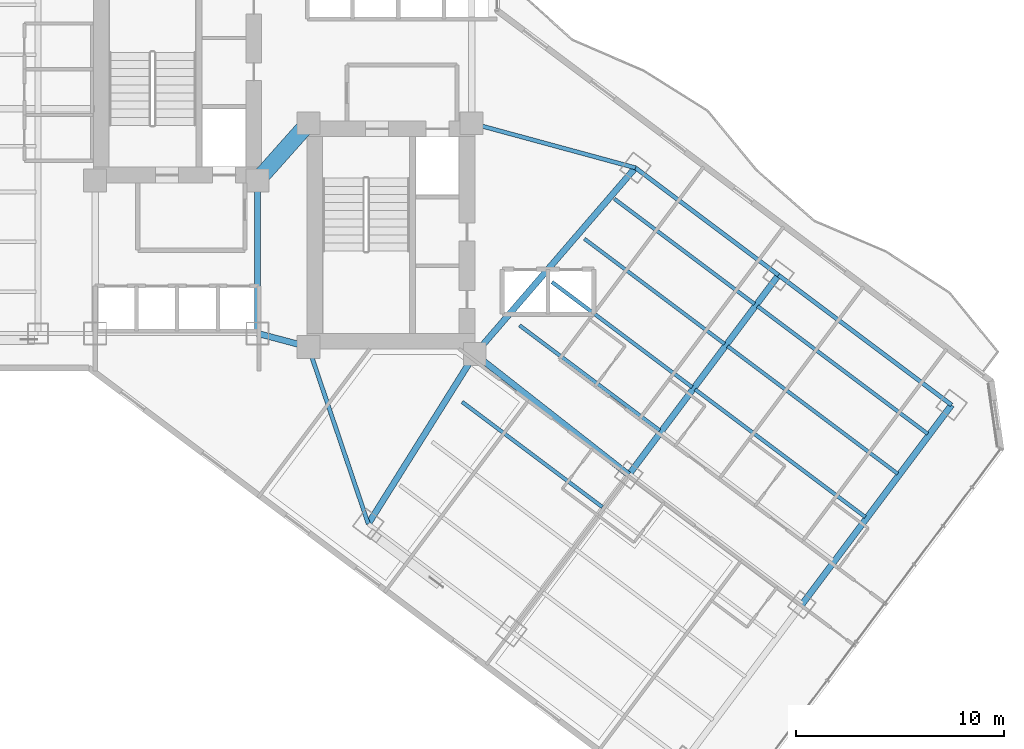
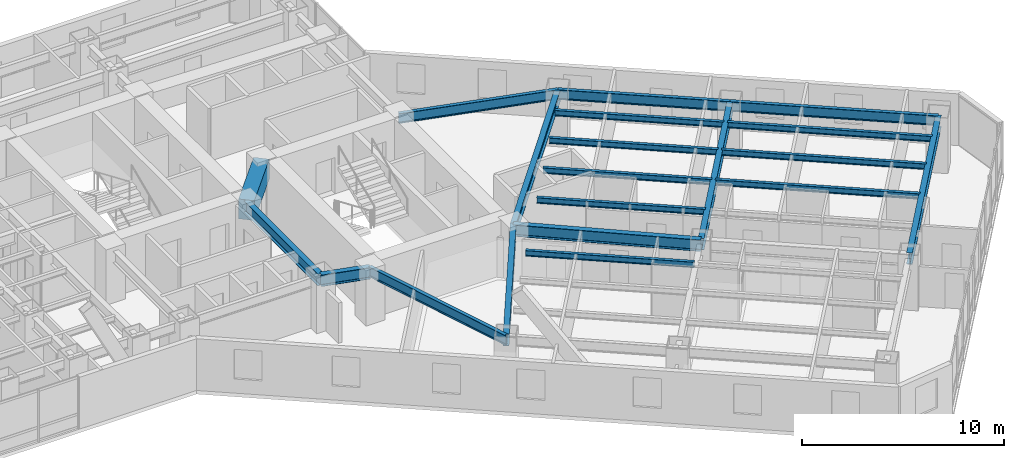
# One storey, part 11 of 32: 20 beams.
"""IFC4 building model written with IfcOpenShell, lengths in metres."""

from ifc_helpers import new_model, si_unit, direction, frame, origin, origin_2d, place, context, subcontext, project, spatial, rectangle, i_section, extrude, material, material_profile, profile_set, type_object, element, save


model = new_model("IFC4")

# Units and contexts
model_context = context("Model", 3, precision=1e-05, world=origin(), true_north=direction((0.0, 1.0)))
body_context = subcontext(model_context, "Body", "Model", "MODEL_VIEW")
ifc_project = project(units=[si_unit("LENGTHUNIT", "METRE"), si_unit("AREAUNIT", "SQUARE_METRE"), si_unit("VOLUMEUNIT", "CUBIC_METRE"), si_unit("PLANEANGLEUNIT", "RADIAN"), si_unit("MASSUNIT", "GRAM", prefix="KILO")], contexts=[model_context])

# Site, building, storey
site_placement = place(None, origin())
site = spatial("IfcSite", under=ifc_project, at=site_placement, CompositionType="ELEMENT")
building_placement = place(site_placement, origin())
building = spatial("IfcBuilding", under=site, at=building_placement, Name="Hatsunagi Terrace Concourse", CompositionType="ELEMENT")
storey_placement = place(building_placement, frame((0.0, 0.0, 36.60009765625)))
storey = spatial("IfcBuildingStorey", under=building, at=storey_placement, Name="L08", CompositionType="ELEMENT", Elevation=36.60009765625)

# Beams
ifc_material_1 = material(Name="Concrete Fc60", Category="concrete")
ifc_material_profile_1 = material_profile(ifc_material_1, rectangle(XDim=0.800048828125, YDim=1.199951171875, at=origin_2d()), Name="RC-800x1200")
ifc_profile_set_1 = profile_set([ifc_material_profile_1], Name="Concrete Fc60")
beam_type_1 = type_object("IfcBeamType", Name="CoreCouplingBeam_RC_800x1200", PredefinedType="BEAM", material=ifc_profile_set_1)
beam_1_placement = place(storey_placement, frame((33.35009765625, 32.550048828125, 2.52978515625), z_axis=(0.665198651008, 0.746666427997, 0.0), x_axis=(-0.746666427997, 0.665198651008, 0.0)))
element("IfcBeam", 1, at=beam_1_placement, inside=storey, type_object=beam_type_1, Name="Beam CB-01 CB-L08-1", PredefinedType="BEAM", context=body_context, shape_type="SweptSolid", body=[
    extrude(rectangle(XDim=0.800048828125, YDim=1.199951171875, at=origin_2d()), origin(), (0.0, 0.0, 1.0), 3.68310546875),
])
ifc_material_2 = material(Name="Steel SN490B", Category="steel")
ifc_material_profile_2 = material_profile(ifc_material_2, i_section(OverallWidth=0.300048828125, OverallDepth=0.699951171875, WebThickness=0.012939453125, FlangeThickness=0.02392578125, FilletRadius=0.02197265625, at=origin_2d()), Name="H-700x300x13x24")
ifc_profile_set_2 = profile_set([ifc_material_profile_2], Name="Steel SN490B")
beam_type_2 = type_object("IfcBeamType", Name="HotelFloorGirder_H_700x300", PredefinedType="BEAM", material=ifc_profile_set_2)
beam_2_placement = place(storey_placement, frame((33.35009765625, 25.199951171875, 2.77978515625), z_axis=(0.0, 1.0, 0.0), x_axis=(-1.0, 0.0, 0.0)))
element("IfcBeam", 2, at=beam_2_placement, inside=storey, type_object=beam_type_2, Name="Beam G-04 BM-L08-K2CA", PredefinedType="BEAM", context=body_context, shape_type="SweptSolid", body=[
    extrude(i_section(OverallWidth=0.300048828125, OverallDepth=0.699951171875, WebThickness=0.012939453125, FlangeThickness=0.02392578125, FilletRadius=0.02197265625, at=origin_2d()), origin(), (0.0, 0.0, 1.0), 7.35009765625),
])
beam_3_placement = place(storey_placement, frame((33.35009765625, 25.199951171875, 2.77978515625), z_axis=(0.966569840116, -0.256403479262, 0.0), x_axis=(0.256403479262, 0.966569840116, 0.0)))
element("IfcBeam", 3, at=beam_3_placement, inside=storey, type_object=beam_type_2, Name="Beam G-04 BM-L08-K2CB", PredefinedType="BEAM", context=body_context, shape_type="SweptSolid", body=[
    extrude(i_section(OverallWidth=0.300048828125, OverallDepth=0.699951171875, WebThickness=0.012939453125, FlangeThickness=0.02392578125, FilletRadius=0.02197265625, at=origin_2d()), origin(), (0.0, 0.0, 1.0), 2.53466796875),
])
beam_4_placement = place(storey_placement, frame((38.679931640625, 16.0400390625, 2.77978515625), z_axis=(0.531503907049, 0.847055840421, 0.0), x_axis=(-0.847055840421, 0.531503907049, 0.0)))
element("IfcBeam", 4, at=beam_4_placement, inside=storey, type_object=beam_type_2, Name="Beam G-04 BM-L08-SET-1A", PredefinedType="BEAM", context=body_context, shape_type="SweptSolid", body=[
    extrude(i_section(OverallWidth=0.300048828125, OverallDepth=0.699951171875, WebThickness=0.012939453125, FlangeThickness=0.02392578125, FilletRadius=0.02197265625, at=origin_2d()), origin(), (0.0, 0.0, 1.0), 9.63330078125),
])
beam_5_placement = place(storey_placement, frame((43.800048828125, 24.199951171875, 2.77978515625), z_axis=(0.652739101421, 0.757582777969, 0.0), x_axis=(-0.757582777969, 0.652739101421, 0.0)))
element("IfcBeam", 5, at=beam_5_placement, inside=storey, type_object=beam_type_2, Name="Beam G-04 BM-L08-SET-1B", PredefinedType="BEAM", context=body_context, shape_type="SweptSolid", body=[
    extrude(i_section(OverallWidth=0.300048828125, OverallDepth=0.699951171875, WebThickness=0.012939453125, FlangeThickness=0.02392578125, FilletRadius=0.02197265625, at=origin_2d()), origin(), (0.0, 0.0, 1.0), 11.8271484375),
])
beam_6_placement = place(storey_placement, frame((43.800048828125, 24.199951171875, 2.77978515625), z_axis=(0.787049441068, -0.616889923175, 0.0), x_axis=(0.616889923175, 0.787049441068, 0.0)))
element("IfcBeam", 6, at=beam_6_placement, inside=storey, type_object=beam_type_2, Name="Beam G-04 BM-L08-SE-M2", PredefinedType="BEAM", context=body_context, shape_type="SweptSolid", body=[
    extrude(i_section(OverallWidth=0.300048828125, OverallDepth=0.699951171875, WebThickness=0.012939453125, FlangeThickness=0.02392578125, FilletRadius=0.02197265625, at=origin_2d()), origin(), (0.0, 0.0, 1.0), 9.402099609375),
])
for number, where, z_axis, x_axis, name in (
    (7, (51.199951171875, 18.39990234375, 2.77978515625), (0.59999348959, 0.800004882766, 0.0), (-0.800004882766, 0.59999348959, 0.0), "Beam G-04 BM-L08-SET-2B"),
    (8, (59.52001953125, 12.159912109375, 2.77978515625), (0.59999348959, 0.800004882766, 0.0), (-0.800004882766, 0.59999348959, 0.0), "Beam G-04 BM-L08-SET-3B"),
):
    element("IfcBeam", number, at=place(storey_placement, frame(where, z_axis=z_axis, x_axis=x_axis)), inside=storey, type_object=beam_type_2, Name=name, PredefinedType="BEAM", context=body_context, shape_type="SweptSolid", body=[
        extrude(i_section(OverallWidth=0.300048828125, OverallDepth=0.699951171875, WebThickness=0.012939453125, FlangeThickness=0.02392578125, FilletRadius=0.02197265625, at=origin_2d()), origin(), (0.0, 0.0, 1.0), 12.0),
    ])
ifc_material_3 = material(Name="Steel SN490B", Category="steel")
ifc_material_profile_3 = material_profile(ifc_material_3, i_section(OverallWidth=0.175048828125, OverallDepth=0.35009765625, WebThickness=0.007080078125, FlangeThickness=0.010986328125, FilletRadius=0.012939453125, at=origin_2d()), Name="H-350x175x7x11")
ifc_profile_set_3 = profile_set([ifc_material_profile_3], Name="Steel SN490B")
beam_type_3 = type_object("IfcBeamType", Name="HotelJoist_H_350x175", PredefinedType="JOIST", material=ifc_profile_set_3)
for number, where, z_axis, x_axis, name in (
    (9, (43.18798828125, 21.908935546875, 2.954833984375), (0.800003475366, -0.59999536615, 0.0), (0.59999536615, 0.800003475366, 0.0), "Beam J-02 J-L08-SE-2-96"),
    (10, (45.947998046875, 25.589111328125, 2.954833984375), (0.799989573921, -0.600013901187, 0.0), (0.600013901187, 0.799989573921, 0.0), "Beam J-02 J-L08-SE-2-142"),
    (11, (47.508056640625, 27.6689453125, 2.954833984375), (0.800003475366, -0.59999536615, 0.0), (0.59999536615, 0.800003475366, 0.0), "Beam J-02 J-L08-SE-2-168"),
    (12, (49.068115234375, 29.7490234375, 2.954833984375), (0.799989573921, -0.600013901187, 0.0), (0.600013901187, 0.799989573921, 0.0), "Beam J-02 J-L08-SE-2-194"),
    (13, (50.508056640625, 31.6689453125, 2.954833984375), (0.800003475366, -0.59999536615, 0.0), (0.59999536615, 0.800003475366, 0.0), "Beam J-02 J-L08-SE-2-218"),
):
    element("IfcBeam", number, at=place(storey_placement, frame(where, z_axis=z_axis, x_axis=x_axis)), inside=storey, type_object=beam_type_3, Name=name, PredefinedType="JOIST", context=body_context, shape_type="SweptSolid", body=[
        extrude(i_section(OverallWidth=0.175048828125, OverallDepth=0.35009765625, WebThickness=0.007080078125, FlangeThickness=0.010986328125, FilletRadius=0.012939453125, at=origin_2d()), origin(), (0.0, 0.0, 1.0), 8.429931640625),
    ])
beam_7_placement = place(storey_placement, frame((54.387939453125, 22.509033203125, 2.954833984375), z_axis=(0.800005727586, -0.599992363142, 0.0), x_axis=(0.599992363142, 0.800005727586, 0.0)))
element("IfcBeam", 14, at=beam_7_placement, inside=storey, type_object=beam_type_3, Name="Beam J-02 J-L08-SE-3-168", PredefinedType="JOIST", context=body_context, shape_type="SweptSolid", body=[
    extrude(i_section(OverallWidth=0.175048828125, OverallDepth=0.35009765625, WebThickness=0.007080078125, FlangeThickness=0.010986328125, FilletRadius=0.012939453125, at=origin_2d()), origin(), (0.0, 0.0, 1.0), 10.22998046875),
])
beam_8_placement = place(storey_placement, frame((55.947998046875, 24.589111328125, 2.954833984375), z_axis=(0.799994272423, -0.600007636694, 0.0), x_axis=(0.600007636694, 0.799994272423, 0.0)))
element("IfcBeam", 15, at=beam_8_placement, inside=storey, type_object=beam_type_3, Name="Beam J-02 J-L08-SE-3-194", PredefinedType="JOIST", context=body_context, shape_type="SweptSolid", body=[
    extrude(i_section(OverallWidth=0.175048828125, OverallDepth=0.35009765625, WebThickness=0.007080078125, FlangeThickness=0.010986328125, FilletRadius=0.012939453125, at=origin_2d()), origin(), (0.0, 0.0, 1.0), 10.230224609375),
])
beam_9_placement = place(storey_placement, frame((57.387939453125, 26.509033203125, 2.954833984375), z_axis=(0.800005727586, -0.599992363142, 0.0), x_axis=(0.599992363142, 0.800005727586, 0.0)))
element("IfcBeam", 16, at=beam_9_placement, inside=storey, type_object=beam_type_3, Name="Beam J-02 J-L08-SE-3-218", PredefinedType="JOIST", context=body_context, shape_type="SweptSolid", body=[
    extrude(i_section(OverallWidth=0.175048828125, OverallDepth=0.35009765625, WebThickness=0.007080078125, FlangeThickness=0.010986328125, FilletRadius=0.012939453125, at=origin_2d()), origin(), (0.0, 0.0, 1.0), 10.22998046875),
])
ifc_material_4 = material(Name="Steel SN490B", Category="steel")
ifc_material_profile_4 = material_profile(ifc_material_4, i_section(OverallWidth=0.199951171875, OverallDepth=0.60009765625, WebThickness=0.010986328125, FlangeThickness=0.01708984375, FilletRadius=0.01806640625, at=origin_2d()), Name="H-600x200x11x17")
ifc_profile_set_4 = profile_set([ifc_material_profile_4], Name="Steel SN490B")
beam_type_4 = type_object("IfcBeamType", Name="PerimeterSpandrel_H_600x200", PredefinedType="SPANDREL", material=ifc_profile_set_4)
beam_10_placement = place(storey_placement, frame((35.800048828125, 24.550048828125, 2.829833984375), z_axis=(0.320553412271, -0.947230441805, 0.0), x_axis=(0.947230441805, 0.320553412271, 0.0)))
element("IfcBeam", 17, at=beam_10_placement, inside=storey, type_object=beam_type_4, Name="Beam SP-01 BM-L08-SE-SW0", PredefinedType="SPANDREL", context=body_context, shape_type="SweptSolid", body=[
    extrude(i_section(OverallWidth=0.199951171875, OverallDepth=0.60009765625, WebThickness=0.010986328125, FlangeThickness=0.01708984375, FilletRadius=0.01806640625, at=origin_2d()), origin(), (0.0, 0.0, 1.0), 8.984130859375),
])
beam_11_placement = place(storey_placement, frame((43.64990234375, 35.300048828125, 2.829833984375), z_axis=(0.964958359286, -0.262403057994, 0.0), x_axis=(0.262403057994, 0.964958359286, 0.0)))
element("IfcBeam", 18, at=beam_11_placement, inside=storey, type_object=beam_type_4, Name="Beam SP-01 BM-L08-SE-NE0", PredefinedType="SPANDREL", context=body_context, shape_type="SweptSolid", body=[
    extrude(i_section(OverallWidth=0.199951171875, OverallDepth=0.60009765625, WebThickness=0.010986328125, FlangeThickness=0.01708984375, FilletRadius=0.01806640625, at=origin_2d()), origin(), (0.0, 0.0, 1.0), 8.156005859375),
])
beam_12_placement = place(storey_placement, frame((51.52001953125, 33.159912109375, 2.829833984375), z_axis=(0.8, -0.6, 0.0), x_axis=(0.6, 0.8, 0.0)))
element("IfcBeam", 19, at=beam_12_placement, inside=storey, type_object=beam_type_4, Name="Beam SP-01 BM-L08-SE-NE2", PredefinedType="SPANDREL", context=body_context, shape_type="SweptSolid", body=[
    extrude(i_section(OverallWidth=0.199951171875, OverallDepth=0.60009765625, WebThickness=0.010986328125, FlangeThickness=0.01708984375, FilletRadius=0.01806640625, at=origin_2d()), origin(), (0.0, 0.0, 1.0), 8.599853515625),
])
beam_13_placement = place(storey_placement, frame((58.39990234375, 28.0, 2.829833984375), z_axis=(0.800002816985, -0.599996244001, 0.0), x_axis=(0.599996244001, 0.800002816985, 0.0)))
element("IfcBeam", 20, at=beam_13_placement, inside=storey, type_object=beam_type_4, Name="Beam SP-01 BM-L08-SE-NE3", PredefinedType="SPANDREL", context=body_context, shape_type="SweptSolid", body=[
    extrude(i_section(OverallWidth=0.199951171875, OverallDepth=0.60009765625, WebThickness=0.010986328125, FlangeThickness=0.01708984375, FilletRadius=0.01806640625, at=origin_2d()), origin(), (0.0, 0.0, 1.0), 10.400146484375),
])

save(model, "model.ifc")
